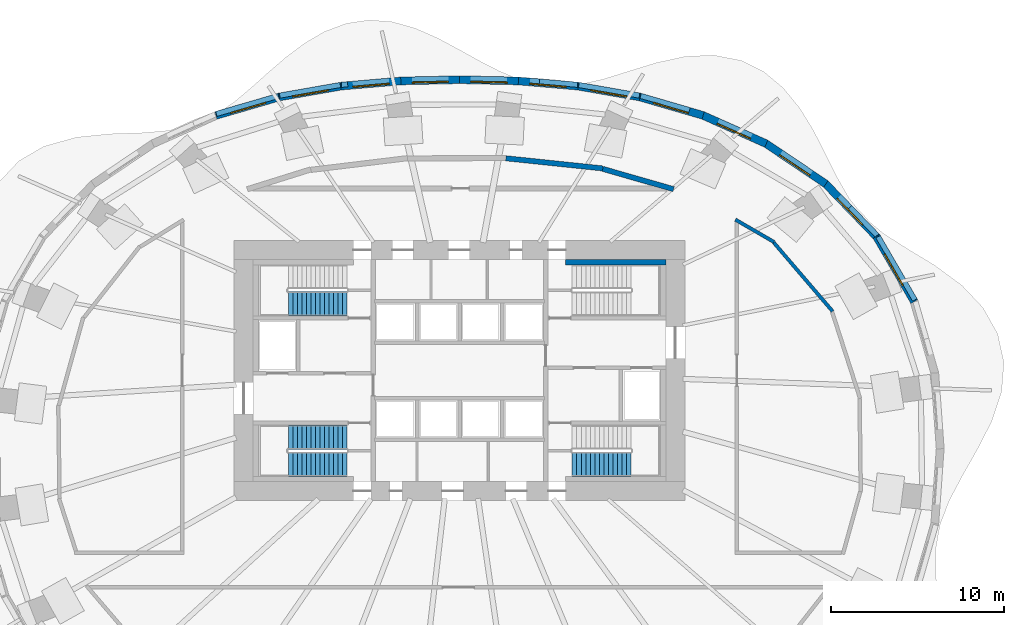
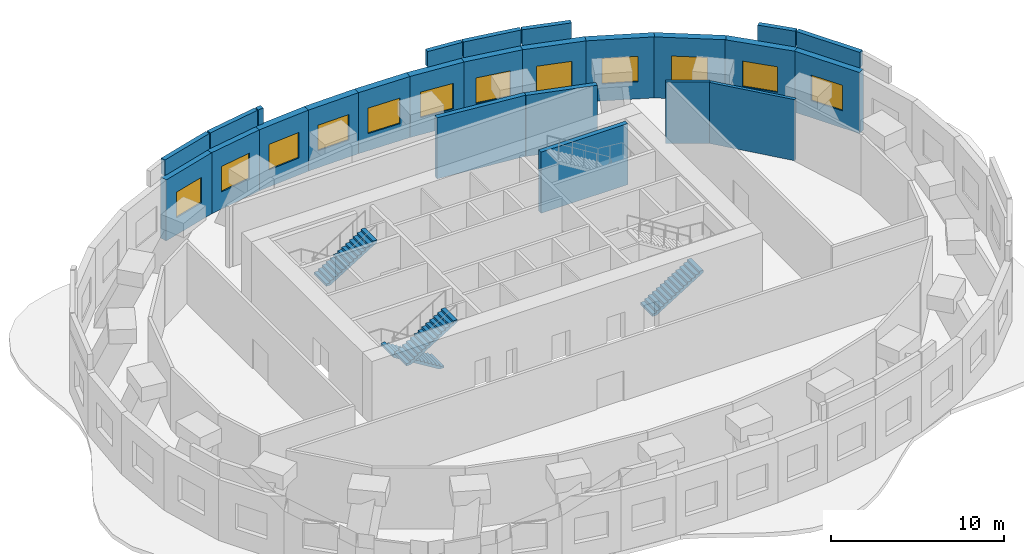
# One storey, part 7 of 9: 25 walls, 12 windows, 4 stair flights, 12 openings, 3 elements without a shape of their own.
"""IFC4 building model written with IfcOpenShell, lengths in metres."""

from ifc_helpers import new_model, si_unit, direction, frame, frame_2d, origin, place, context, subcontext, project, spatial, polyline, rectangle, outline, extrude, material, layer, layer_set, type_object, element, fill, aggregate, save


model = new_model("IFC4")

# Units and contexts
model_context = context("Model", 3, precision=1e-05, world=origin(), true_north=direction((0.0, 1.0)))
body_context = subcontext(model_context, "Body", "Model", "MODEL_VIEW")
ifc_project = project(units=[si_unit("LENGTHUNIT", "METRE"), si_unit("AREAUNIT", "SQUARE_METRE"), si_unit("VOLUMEUNIT", "CUBIC_METRE"), si_unit("PLANEANGLEUNIT", "RADIAN"), si_unit("MASSUNIT", "GRAM", prefix="KILO")], contexts=[model_context])

# Site, building, storey
site_placement = place(None, origin())
site = spatial("IfcSite", under=ifc_project, at=site_placement, CompositionType="ELEMENT")
building_placement = place(site_placement, origin())
building = spatial("IfcBuilding", under=site, at=building_placement, Name="Rubra Terraces Tower", CompositionType="ELEMENT")
storey_placement = place(building_placement, frame((0.0, 0.0, 77.10009765625)))
storey = spatial("IfcBuildingStorey", under=building, at=storey_placement, Name="L17", CompositionType="ELEMENT", Elevation=77.10009765625)

# Wall, opening, window
ifc_material_1 = material(Name="Brick masonry red-brown", Category="masonry")
ifc_layer_1 = layer(ifc_material_1, 0.449951171875)
ifc_layer_set_1 = layer_set([ifc_layer_1], Name="Brick masonry red-brown")
wall_type_1 = type_object("IfcWallType", Name="Brick facade wall 450", PredefinedType="SOLIDWALL", material=ifc_layer_set_1)
wall_1_placement = place(storey_placement, frame((26.23046875, 8.472900390625, 0.0), z_axis=(0.0, 0.0, 1.0), x_axis=(-0.502203169453, 0.864749661227, 0.0)))
wall_1 = element("IfcWall", 1, at=wall_1_placement, inside=storey, type_object=wall_type_1, Name="Facade wall L17 bay 3", PredefinedType="SOLIDWALL", context=body_context, shape_type="SweptSolid", body=[
    extrude(rectangle(XDim=4.352783203125, YDim=0.449951171875, at=frame_2d((2.17626953125, 0.0))), origin(), (0.0, 0.0, 1.0), 4.2998046875),
])
opening_1_placement = place(wall_1_placement, frame((1.12646484375, 0.0, 1.199951171875)))
opening_1 = element("IfcOpeningElement", 2, at=opening_1_placement, cuts=wall_1, Name="Opening W4", PredefinedType="OPENING", context=body_context, shape_type="SweptSolid", body=[
    extrude(rectangle(XDim=2.10009765625, YDim=1.800048828125, at=frame_2d((1.050048828125, 0.89990234375))), frame((0.0, 0.23486328125, 0.0), z_axis=(0.0, -1.0, 0.0), x_axis=(1.0, 0.0, 0.0)), (0.0, 0.0, 1.0), 0.469970703125),
])
ifc_material_2 = material(Name="Clear glass in aluminium frame", Category="aluminium")
window_type = type_object("IfcWindowType", Name="Louvred plant window 2100 x 1800", PartitioningType="SINGLE_PANEL", PredefinedType="WINDOW", material=ifc_material_2)
window_1_placement = place(opening_1_placement, origin())
window_1 = element("IfcWindow", 3, at=window_1_placement, inside=storey, type_object=window_type, Name="Window L17 bay 3", OverallHeight=1.800048828125, OverallWidth=2.10009765625, PartitioningType="SINGLE_PANEL", PredefinedType="WINDOW", context=body_context, shape_type="SweptSolid", body=[
    extrude(rectangle(XDim=2.10009765625, YDim=1.800048828125, at=frame_2d((1.050048828125, 0.89990234375))), frame((0.0, 0.135009765625, 0.0), z_axis=(0.0, -1.0, 0.0), x_axis=(1.0, 0.0, 0.0)), (0.0, 0.0, 1.0), 0.06005859375),
])
fill(opening_1, window_1)

wall_2_placement = place(storey_placement, frame((24.076904296875, 12.19384765625, 0.0), z_axis=(0.0, 0.0, 1.0), x_axis=(-0.69406513137, 0.719912212298, 0.0)))
wall_2 = element("IfcWall", 4, at=wall_2_placement, inside=storey, type_object=wall_type_1, Name="Facade wall L17 bay 4", PredefinedType="SOLIDWALL", context=body_context, shape_type="SweptSolid", body=[
    extrude(rectangle(XDim=4.2978515625, YDim=0.449951171875, at=frame_2d((2.14892578125, 0.0))), origin(), (0.0, 0.0, 1.0), 4.2998046875),
])
opening_2_placement = place(wall_2_placement, frame((1.098876953125, 0.0, 1.199951171875)))
opening_2 = element("IfcOpeningElement", 5, at=opening_2_placement, cuts=wall_2, Name="Opening W4", PredefinedType="OPENING", context=body_context, shape_type="SweptSolid", body=[
    extrude(rectangle(XDim=2.10009765625, YDim=1.800048828125, at=frame_2d((1.050048828125, 0.89990234375))), frame((0.0, 0.23486328125, 0.0), z_axis=(0.0, -1.0, 0.0), x_axis=(1.0, 0.0, 0.0)), (0.0, 0.0, 1.0), 0.469970703125),
])
window_2_placement = place(opening_2_placement, origin())
window_2 = element("IfcWindow", 6, at=window_2_placement, inside=storey, type_object=window_type, Name="Window L17 bay 4", OverallHeight=1.800048828125, OverallWidth=2.10009765625, PartitioningType="SINGLE_PANEL", PredefinedType="WINDOW", context=body_context, shape_type="SweptSolid", body=[
    extrude(rectangle(XDim=2.10009765625, YDim=1.800048828125, at=frame_2d((1.050048828125, 0.89990234375))), frame((0.0, 0.135009765625, 0.0), z_axis=(0.0, -1.0, 0.0), x_axis=(1.0, 0.0, 0.0)), (0.0, 0.0, 1.0), 0.06005859375),
])
fill(opening_2, window_2)

wall_3_placement = place(storey_placement, frame((21.130126953125, 15.257568359375, 0.0), z_axis=(0.0, 0.0, 1.0), x_axis=(-0.829077786947, 0.559133278557, 0.0)))
wall_3 = element("IfcWall", 7, at=wall_3_placement, inside=storey, type_object=wall_type_1, Name="Facade wall L17 bay 5", PredefinedType="SOLIDWALL", context=body_context, shape_type="SweptSolid", body=[
    extrude(rectangle(XDim=4.1865234375, YDim=0.449951171875, at=frame_2d((2.09326171875, 0.0))), origin(), (0.0, 0.0, 1.0), 4.2998046875),
])
opening_3_placement = place(wall_3_placement, frame((1.043212890625, 0.0, 1.199951171875)))
opening_3 = element("IfcOpeningElement", 8, at=opening_3_placement, cuts=wall_3, Name="Opening W4", PredefinedType="OPENING", context=body_context, shape_type="SweptSolid", body=[
    extrude(rectangle(XDim=2.10009765625, YDim=1.800048828125, at=frame_2d((1.050048828125, 0.89990234375))), frame((0.0, 0.23486328125, 0.0), z_axis=(0.0, -1.0, 0.0), x_axis=(1.0, 0.0, 0.0)), (0.0, 0.0, 1.0), 0.469970703125),
])
window_3_placement = place(opening_3_placement, origin())
window_3 = element("IfcWindow", 9, at=window_3_placement, inside=storey, type_object=window_type, Name="Window L17 bay 5", OverallHeight=1.800048828125, OverallWidth=2.10009765625, PartitioningType="SINGLE_PANEL", PredefinedType="WINDOW", context=body_context, shape_type="SweptSolid", body=[
    extrude(rectangle(XDim=2.10009765625, YDim=1.800048828125, at=frame_2d((1.050048828125, 0.89990234375))), frame((0.0, 0.135009765625, 0.0), z_axis=(0.0, -1.0, 0.0), x_axis=(1.0, 0.0, 0.0)), (0.0, 0.0, 1.0), 0.06005859375),
])
fill(opening_3, window_3)

wall_4_placement = place(storey_placement, frame((17.693115234375, 17.57958984375, 0.0), z_axis=(0.0, 0.0, 1.0), x_axis=(-0.912580432801, 0.408897240966, 0.0)))
wall_4 = element("IfcWall", 10, at=wall_4_placement, inside=storey, type_object=wall_type_1, Name="Facade wall L17 bay 6", PredefinedType="SOLIDWALL", context=body_context, shape_type="SweptSolid", body=[
    extrude(rectangle(XDim=4.020751953125, YDim=0.449951171875, at=frame_2d((2.01025390625, 0.0))), origin(), (0.0, 0.0, 1.0), 4.2998046875),
])
opening_4_placement = place(wall_4_placement, frame((0.960205078125, 0.0, 1.199951171875)))
opening_4 = element("IfcOpeningElement", 11, at=opening_4_placement, cuts=wall_4, Name="Opening W4", PredefinedType="OPENING", context=body_context, shape_type="SweptSolid", body=[
    extrude(rectangle(XDim=2.10009765625, YDim=1.800048828125, at=frame_2d((1.050048828125, 0.89990234375))), frame((0.0, 0.23486328125, 0.0), z_axis=(0.0, -1.0, 0.0), x_axis=(1.0, 0.0, 0.0)), (0.0, 0.0, 1.0), 0.469970703125),
])
window_4_placement = place(opening_4_placement, origin())
window_4 = element("IfcWindow", 12, at=window_4_placement, inside=storey, type_object=window_type, Name="Window L17 bay 6", OverallHeight=1.800048828125, OverallWidth=2.10009765625, PartitioningType="SINGLE_PANEL", PredefinedType="WINDOW", context=body_context, shape_type="SweptSolid", body=[
    extrude(rectangle(XDim=2.10009765625, YDim=1.800048828125, at=frame_2d((1.050048828125, 0.89990234375))), frame((0.0, 0.135009765625, 0.0), z_axis=(0.0, -1.0, 0.0), x_axis=(1.0, 0.0, 0.0)), (0.0, 0.0, 1.0), 0.06005859375),
])
fill(opening_4, window_4)

wall_5_placement = place(storey_placement, frame((14.052978515625, 19.212890625, 0.0), z_axis=(0.0, 0.0, 1.0), x_axis=(-0.960131452472, 0.279548911594, 0.0)))
wall_5 = element("IfcWall", 13, at=wall_5_placement, inside=storey, type_object=wall_type_1, Name="Facade wall L17 bay 7", PredefinedType="SOLIDWALL", context=body_context, shape_type="SweptSolid", body=[
    extrude(rectangle(XDim=3.824462890625, YDim=0.449951171875, at=frame_2d((1.912109375, 0.0))), origin(), (0.0, 0.0, 1.0), 4.2998046875),
])
opening_5_placement = place(wall_5_placement, frame((0.8623046875, 0.0, 1.199951171875)))
opening_5 = element("IfcOpeningElement", 14, at=opening_5_placement, cuts=wall_5, Name="Opening W4", PredefinedType="OPENING", context=body_context, shape_type="SweptSolid", body=[
    extrude(rectangle(XDim=2.10009765625, YDim=1.800048828125, at=frame_2d((1.050048828125, 0.89990234375))), frame((0.0, 0.23486328125, 0.0), z_axis=(0.0, -1.0, 0.0), x_axis=(1.0, 0.0, 0.0)), (0.0, 0.0, 1.0), 0.469970703125),
])
window_5_placement = place(opening_5_placement, origin())
window_5 = element("IfcWindow", 15, at=window_5_placement, inside=storey, type_object=window_type, Name="Window L17 bay 7", OverallHeight=1.800048828125, OverallWidth=2.10009765625, PartitioningType="SINGLE_PANEL", PredefinedType="WINDOW", context=body_context, shape_type="SweptSolid", body=[
    extrude(rectangle(XDim=2.10009765625, YDim=1.800048828125, at=frame_2d((1.050048828125, 0.89990234375))), frame((0.0, 0.135009765625, 0.0), z_axis=(0.0, -1.0, 0.0), x_axis=(1.0, 0.0, 0.0)), (0.0, 0.0, 1.0), 0.06005859375),
])
fill(opening_5, window_5)

wall_6_placement = place(storey_placement, frame((10.405029296875, 20.2763671875, 0.0), z_axis=(0.0, 0.0, 1.0), x_axis=(-0.984962239205, 0.172769752386, 0.0)))
wall_6 = element("IfcWall", 16, at=wall_6_placement, inside=storey, type_object=wall_type_1, Name="Facade wall L17 bay 8", PredefinedType="SOLIDWALL", context=body_context, shape_type="SweptSolid", body=[
    extrude(rectangle(XDim=3.634521484375, YDim=0.449951171875, at=frame_2d((1.8173828125, 0.0))), origin(), (0.0, 0.0, 1.0), 4.2998046875),
])
opening_6_placement = place(wall_6_placement, frame((0.767333984375, 0.0, 1.199951171875)))
opening_6 = element("IfcOpeningElement", 17, at=opening_6_placement, cuts=wall_6, Name="Opening W4", PredefinedType="OPENING", context=body_context, shape_type="SweptSolid", body=[
    extrude(rectangle(XDim=2.10009765625, YDim=1.800048828125, at=frame_2d((1.050048828125, 0.89990234375))), frame((0.0, 0.23486328125, 0.0), z_axis=(0.0, -1.0, 0.0), x_axis=(1.0, 0.0, 0.0)), (0.0, 0.0, 1.0), 0.469970703125),
])
window_6_placement = place(opening_6_placement, origin())
window_6 = element("IfcWindow", 18, at=window_6_placement, inside=storey, type_object=window_type, Name="Window L17 bay 8", OverallHeight=1.800048828125, OverallWidth=2.10009765625, PartitioningType="SINGLE_PANEL", PredefinedType="WINDOW", context=body_context, shape_type="SweptSolid", body=[
    extrude(rectangle(XDim=2.10009765625, YDim=1.800048828125, at=frame_2d((1.050048828125, 0.89990234375))), frame((0.0, 0.135009765625, 0.0), z_axis=(0.0, -1.0, 0.0), x_axis=(1.0, 0.0, 0.0)), (0.0, 0.0, 1.0), 0.06005859375),
])
fill(opening_6, window_6)

wall_7_placement = place(storey_placement, frame((6.844482421875, 20.90185546875, 0.0), z_axis=(0.0, 0.0, 1.0), x_axis=(-0.99625818993, 0.086426957587, 0.0)))
wall_7 = element("IfcWall", 19, at=wall_7_placement, inside=storey, type_object=wall_type_1, Name="Facade wall L17 bay 9", PredefinedType="SOLIDWALL", context=body_context, shape_type="SweptSolid", body=[
    extrude(rectangle(XDim=3.48291015625, YDim=0.449951171875, at=frame_2d((1.741455078125, 0.0))), origin(), (0.0, 0.0, 1.0), 4.2998046875),
])
opening_7_placement = place(wall_7_placement, frame((0.69140625, 0.0, 1.199951171875)))
opening_7 = element("IfcOpeningElement", 20, at=opening_7_placement, cuts=wall_7, Name="Opening W4", PredefinedType="OPENING", context=body_context, shape_type="SweptSolid", body=[
    extrude(rectangle(XDim=2.10009765625, YDim=1.800048828125, at=frame_2d((1.050048828125, 0.89990234375))), frame((0.0, 0.23486328125, 0.0), z_axis=(0.0, -1.0, 0.0), x_axis=(1.0, 0.0, 0.0)), (0.0, 0.0, 1.0), 0.469970703125),
])
window_7_placement = place(opening_7_placement, origin())
window_7 = element("IfcWindow", 21, at=window_7_placement, inside=storey, type_object=window_type, Name="Window L17 bay 9", OverallHeight=1.800048828125, OverallWidth=2.10009765625, PartitioningType="SINGLE_PANEL", PredefinedType="WINDOW", context=body_context, shape_type="SweptSolid", body=[
    extrude(rectangle(XDim=2.10009765625, YDim=1.800048828125, at=frame_2d((1.050048828125, 0.89990234375))), frame((0.0, 0.135009765625, 0.0), z_axis=(0.0, -1.0, 0.0), x_axis=(1.0, 0.0, 0.0)), (0.0, 0.0, 1.0), 0.06005859375),
])
fill(opening_7, window_7)

wall_8_placement = place(storey_placement, frame((3.38916015625, 21.201904296875, 0.0), z_axis=(0.0, 0.0, 1.0), x_axis=(-0.999768789703, 0.021502723933, 0.0)))
wall_8 = element("IfcWall", 22, at=wall_8_placement, inside=storey, type_object=wall_type_1, Name="Facade wall L17 bay 10", PredefinedType="SOLIDWALL", context=body_context, shape_type="SweptSolid", body=[
    extrude(rectangle(XDim=3.394775390625, YDim=0.449951171875, at=frame_2d((1.697265625, 0.0))), origin(), (0.0, 0.0, 1.0), 4.2998046875),
])
opening_8_placement = place(wall_8_placement, frame((0.6474609375, 0.0, 1.199951171875)))
opening_8 = element("IfcOpeningElement", 23, at=opening_8_placement, cuts=wall_8, Name="Opening W4", PredefinedType="OPENING", context=body_context, shape_type="SweptSolid", body=[
    extrude(rectangle(XDim=2.10009765625, YDim=1.800048828125, at=frame_2d((1.050048828125, 0.89990234375))), frame((0.0, 0.23486328125, 0.0), z_axis=(0.0, -1.0, 0.0), x_axis=(1.0, 0.0, 0.0)), (0.0, 0.0, 1.0), 0.469970703125),
])
window_8_placement = place(opening_8_placement, origin())
window_8 = element("IfcWindow", 24, at=window_8_placement, inside=storey, type_object=window_type, Name="Window L17 bay 10", OverallHeight=1.800048828125, OverallWidth=2.10009765625, PartitioningType="SINGLE_PANEL", PredefinedType="WINDOW", context=body_context, shape_type="SweptSolid", body=[
    extrude(rectangle(XDim=2.10009765625, YDim=1.800048828125, at=frame_2d((1.050048828125, 0.89990234375))), frame((0.0, 0.135009765625, 0.0), z_axis=(0.0, -1.0, 0.0), x_axis=(1.0, 0.0, 0.0)), (0.0, 0.0, 1.0), 0.06005859375),
])
fill(opening_8, window_8)

wall_9_placement = place(storey_placement, frame((0.0048828125, 21.27490234375, 0.0), z_axis=(0.0, 0.0, 1.0), x_axis=(-0.999768789703, -0.021502723933, 0.0)))
wall_9 = element("IfcWall", 25, at=wall_9_placement, inside=storey, type_object=wall_type_1, Name="Facade wall L17 bay 11", PredefinedType="SOLIDWALL", context=body_context, shape_type="SweptSolid", body=[
    extrude(rectangle(XDim=3.394775390625, YDim=0.449951171875, at=frame_2d((1.697265625, 0.0))), origin(), (0.0, 0.0, 1.0), 4.2998046875),
])
opening_9_placement = place(wall_9_placement, frame((0.6474609375, 0.0, 1.199951171875)))
opening_9 = element("IfcOpeningElement", 26, at=opening_9_placement, cuts=wall_9, Name="Opening W4", PredefinedType="OPENING", context=body_context, shape_type="SweptSolid", body=[
    extrude(rectangle(XDim=2.10009765625, YDim=1.800048828125, at=frame_2d((1.050048828125, 0.89990234375))), frame((0.0, 0.23486328125, 0.0), z_axis=(0.0, -1.0, 0.0), x_axis=(1.0, 0.0, 0.0)), (0.0, 0.0, 1.0), 0.469970703125),
])
window_9_placement = place(opening_9_placement, origin())
window_9 = element("IfcWindow", 27, at=window_9_placement, inside=storey, type_object=window_type, Name="Window L17 bay 11", OverallHeight=1.800048828125, OverallWidth=2.10009765625, PartitioningType="SINGLE_PANEL", PredefinedType="WINDOW", context=body_context, shape_type="SweptSolid", body=[
    extrude(rectangle(XDim=2.10009765625, YDim=1.800048828125, at=frame_2d((1.050048828125, 0.89990234375))), frame((0.0, 0.135009765625, 0.0), z_axis=(0.0, -1.0, 0.0), x_axis=(1.0, 0.0, 0.0)), (0.0, 0.0, 1.0), 0.06005859375),
])
fill(opening_9, window_9)

wall_10_placement = place(storey_placement, frame((-3.37451171875, 21.202880859375, 0.0), z_axis=(0.0, 0.0, 1.0), x_axis=(-0.99625818993, -0.086426957587, 0.0)))
wall_10 = element("IfcWall", 28, at=wall_10_placement, inside=storey, type_object=wall_type_1, Name="Facade wall L17 bay 12", PredefinedType="SOLIDWALL", context=body_context, shape_type="SweptSolid", body=[
    extrude(rectangle(XDim=3.48291015625, YDim=0.449951171875, at=frame_2d((1.741455078125, 0.0))), origin(), (0.0, 0.0, 1.0), 4.2998046875),
])
opening_10_placement = place(wall_10_placement, frame((0.69140625, 0.0, 1.199951171875)))
opening_10 = element("IfcOpeningElement", 29, at=opening_10_placement, cuts=wall_10, Name="Opening W4", PredefinedType="OPENING", context=body_context, shape_type="SweptSolid", body=[
    extrude(rectangle(XDim=2.10009765625, YDim=1.800048828125, at=frame_2d((1.050048828125, 0.89990234375))), frame((0.0, 0.23486328125, 0.0), z_axis=(0.0, -1.0, 0.0), x_axis=(1.0, 0.0, 0.0)), (0.0, 0.0, 1.0), 0.469970703125),
])
window_10_placement = place(opening_10_placement, origin())
window_10 = element("IfcWindow", 30, at=window_10_placement, inside=storey, type_object=window_type, Name="Window L17 bay 12", OverallHeight=1.800048828125, OverallWidth=2.10009765625, PartitioningType="SINGLE_PANEL", PredefinedType="WINDOW", context=body_context, shape_type="SweptSolid", body=[
    extrude(rectangle(XDim=2.10009765625, YDim=1.800048828125, at=frame_2d((1.050048828125, 0.89990234375))), frame((0.0, 0.135009765625, 0.0), z_axis=(0.0, -1.0, 0.0), x_axis=(1.0, 0.0, 0.0)), (0.0, 0.0, 1.0), 0.06005859375),
])
fill(opening_10, window_10)

wall_11_placement = place(storey_placement, frame((-6.8251953125, 20.904296875, 0.0), z_axis=(0.0, 0.0, 1.0), x_axis=(-0.984962239205, -0.172769752386, 0.0)))
wall_11 = element("IfcWall", 31, at=wall_11_placement, inside=storey, type_object=wall_type_1, Name="Facade wall L17 bay 13", PredefinedType="SOLIDWALL", context=body_context, shape_type="SweptSolid", body=[
    extrude(rectangle(XDim=3.634521484375, YDim=0.449951171875, at=frame_2d((1.8173828125, 0.0))), origin(), (0.0, 0.0, 1.0), 4.2998046875),
])
opening_11_placement = place(wall_11_placement, frame((0.767333984375, 0.0, 1.199951171875)))
opening_11 = element("IfcOpeningElement", 32, at=opening_11_placement, cuts=wall_11, Name="Opening W4", PredefinedType="OPENING", context=body_context, shape_type="SweptSolid", body=[
    extrude(rectangle(XDim=2.10009765625, YDim=1.800048828125, at=frame_2d((1.050048828125, 0.89990234375))), frame((0.0, 0.23486328125, 0.0), z_axis=(0.0, -1.0, 0.0), x_axis=(1.0, 0.0, 0.0)), (0.0, 0.0, 1.0), 0.469970703125),
])
window_11_placement = place(opening_11_placement, origin())
window_11 = element("IfcWindow", 33, at=window_11_placement, inside=storey, type_object=window_type, Name="Window L17 bay 13", OverallHeight=1.800048828125, OverallWidth=2.10009765625, PartitioningType="SINGLE_PANEL", PredefinedType="WINDOW", context=body_context, shape_type="SweptSolid", body=[
    extrude(rectangle(XDim=2.10009765625, YDim=1.800048828125, at=frame_2d((1.050048828125, 0.89990234375))), frame((0.0, 0.135009765625, 0.0), z_axis=(0.0, -1.0, 0.0), x_axis=(1.0, 0.0, 0.0)), (0.0, 0.0, 1.0), 0.06005859375),
])
fill(opening_11, window_11)

wall_12_placement = place(storey_placement, frame((-10.381103515625, 20.281982421875, 0.0), z_axis=(0.0, 0.0, 1.0), x_axis=(-0.960131452472, -0.279548911594, 0.0)))
wall_12 = element("IfcWall", 34, at=wall_12_placement, inside=storey, type_object=wall_type_1, Name="Facade wall L17 bay 14", PredefinedType="SOLIDWALL", context=body_context, shape_type="SweptSolid", body=[
    extrude(rectangle(XDim=3.824462890625, YDim=0.449951171875, at=frame_2d((1.912109375, 0.0))), origin(), (0.0, 0.0, 1.0), 4.2998046875),
])
opening_12_placement = place(wall_12_placement, frame((0.8623046875, 0.0, 1.199951171875)))
opening_12 = element("IfcOpeningElement", 35, at=opening_12_placement, cuts=wall_12, Name="Opening W4", PredefinedType="OPENING", context=body_context, shape_type="SweptSolid", body=[
    extrude(rectangle(XDim=2.10009765625, YDim=1.800048828125, at=frame_2d((1.050048828125, 0.89990234375))), frame((0.0, 0.23486328125, 0.0), z_axis=(0.0, -1.0, 0.0), x_axis=(1.0, 0.0, 0.0)), (0.0, 0.0, 1.0), 0.469970703125),
])
window_12_placement = place(opening_12_placement, origin())
window_12 = element("IfcWindow", 36, at=window_12_placement, inside=storey, type_object=window_type, Name="Window L17 bay 14", OverallHeight=1.800048828125, OverallWidth=2.10009765625, PartitioningType="SINGLE_PANEL", PredefinedType="WINDOW", context=body_context, shape_type="SweptSolid", body=[
    extrude(rectangle(XDim=2.10009765625, YDim=1.800048828125, at=frame_2d((1.050048828125, 0.89990234375))), frame((0.0, 0.135009765625, 0.0), z_axis=(0.0, -1.0, 0.0), x_axis=(1.0, 0.0, 0.0)), (0.0, 0.0, 1.0), 0.06005859375),
])
fill(opening_12, window_12)

# Walls
ifc_layer_2 = layer(ifc_material_1, 0.300048828125)
ifc_layer_set_2 = layer_set([ifc_layer_2], Name="Brick masonry red-brown")
wall_type_2 = type_object("IfcWallType", Name="Brick parapet 300", PredefinedType="PARAPET", material=ifc_layer_set_2)
wall_13_placement = place(storey_placement, frame((26.26171875, 8.56884765625, 4.5), z_axis=(0.0, 0.0, 1.0), x_axis=(-0.502258354831, 0.864717609976, 0.0)))
element("IfcWall", 37, at=wall_13_placement, inside=storey, type_object=wall_type_2, Name="Parapet L17 bay 3", PredefinedType="PARAPET", context=body_context, shape_type="SweptSolid", body=[
    extrude(rectangle(XDim=4.21923828125, YDim=0.300048828125, at=frame_2d((2.109619140625, 0.0))), origin(), (0.0, 0.0, 1.0), 1.099853515625),
])
wall_14_placement = place(storey_placement, frame((24.0849609375, 12.293701171875, 4.5), z_axis=(0.0, 0.0, 1.0), x_axis=(-0.69408561192, 0.719892466501, 0.0)))
element("IfcWall", 38, at=wall_14_placement, inside=storey, type_object=wall_type_2, Name="Parapet L17 bay 4", PredefinedType="PARAPET", context=body_context, shape_type="SweptSolid", body=[
    extrude(rectangle(XDim=2.260986328125, YDim=0.300048828125, at=frame_2d((1.13037109375, 0.0))), origin(), (0.0, 0.0, 1.0), 1.099853515625),
])
wall_15_placement = place(storey_placement, frame((13.266357421875, 19.520263671875, 4.5), z_axis=(0.0, 0.0, 1.0), x_axis=(-0.960144197549, 0.279505133965, 0.0)))
element("IfcWall", 39, at=wall_15_placement, inside=storey, type_object=wall_type_2, Name="Parapet L17 bay 7", PredefinedType="PARAPET", context=body_context, shape_type="SweptSolid", body=[
    extrude(rectangle(XDim=2.9365234375, YDim=0.300048828125, at=frame_2d((1.46826171875, 0.0))), origin(), (0.0, 0.0, 1.0), 1.099853515625),
])
wall_16_placement = place(storey_placement, frame((10.372314453125, 20.3583984375, 4.5), z_axis=(0.0, 0.0, 1.0), x_axis=(-0.984970182858, 0.172724459419, 0.0)))
element("IfcWall", 40, at=wall_16_placement, inside=storey, type_object=wall_type_2, Name="Parapet L17 bay 8", PredefinedType="PARAPET", context=body_context, shape_type="SweptSolid", body=[
    extrude(rectangle(XDim=3.544921875, YDim=0.300048828125, at=frame_2d((1.7724609375, 0.0))), origin(), (0.0, 0.0, 1.0), 1.099853515625),
])
wall_17_placement = place(storey_placement, frame((6.80810546875, 20.980224609375, 4.5), z_axis=(0.0, 0.0, 1.0), x_axis=(-0.99625342501, 0.086481866051, 0.0)))
element("IfcWall", 41, at=wall_17_placement, inside=storey, type_object=wall_type_2, Name="Parapet L17 bay 9", PredefinedType="PARAPET", context=body_context, shape_type="SweptSolid", body=[
    extrude(rectangle(XDim=2.21044921875, YDim=0.300048828125, at=frame_2d((1.105224609375, 0.0))), origin(), (0.0, 0.0, 1.0), 1.099853515625),
])
wall_18_placement = place(storey_placement, frame((-6.453125, 21.010986328125, 4.5), z_axis=(0.0, 0.0, 1.0), x_axis=(-0.996266255014, -0.086333939568, 0.0)))
element("IfcWall", 42, at=wall_18_placement, inside=storey, type_object=wall_type_2, Name="Parapet L17 bay 12", PredefinedType="PARAPET", context=body_context, shape_type="SweptSolid", body=[
    extrude(rectangle(XDim=0.356201171875, YDim=0.300048828125, at=frame_2d((0.17822265625, 0.0))), origin(), (0.0, 0.0, 1.0), 1.099853515625),
])
wall_19_placement = place(storey_placement, frame((-6.880615234375, 20.970703125, 4.5), z_axis=(0.0, 0.0, 1.0), x_axis=(-0.984970182858, -0.172724459419, 0.0)))
element("IfcWall", 43, at=wall_19_placement, inside=storey, type_object=wall_type_2, Name="Parapet L17 bay 13", PredefinedType="PARAPET", context=body_context, shape_type="SweptSolid", body=[
    extrude(rectangle(XDim=3.544921875, YDim=0.300048828125, at=frame_2d((1.7724609375, 0.0))), origin(), (0.0, 0.0, 1.0), 1.099853515625),
])
wall_20_placement = place(storey_placement, frame((-10.44677734375, 20.341064453125, 4.5), z_axis=(0.0, 0.0, 1.0), x_axis=(-0.960145130593, -0.279501928792, 0.0)))
element("IfcWall", 44, at=wall_20_placement, inside=storey, type_object=wall_type_2, Name="Parapet L17 bay 14", PredefinedType="PARAPET", context=body_context, shape_type="SweptSolid", body=[
    extrude(rectangle(XDim=3.72705078125, YDim=0.300048828125, at=frame_2d((1.863525390625, 0.0))), origin(), (0.0, 0.0, 1.0), 1.099853515625),
])
ifc_material_3 = material(Name="Concrete C40", Category="concrete")
ifc_layer_3 = layer(ifc_material_3, 0.300048828125)
ifc_layer_set_3 = layer_set([ifc_layer_3], Name="Concrete C40")
wall_type_3 = type_object("IfcWallType", Name="Core lining wall 300 concrete", PredefinedType="SOLIDWALL", material=ifc_layer_set_3)
wall_21_placement = place(storey_placement, frame((11.89990234375, 10.75, 0.0), z_axis=(0.0, 0.0, 1.0), x_axis=(-1.0, 0.0, 0.0)))
element("IfcWall", 45, at=wall_21_placement, inside=storey, type_object=wall_type_3, Name="CORE LINING WALL L17", PredefinedType="SOLIDWALL", context=body_context, shape_type="SweptSolid", body=[
    extrude(rectangle(XDim=5.77978515625, YDim=0.300048828125, at=frame_2d((2.889892578125, 0.0))), origin(), (0.0, 0.0, 1.0), 4.2998046875),
])
ifc_material_4 = material(Name="Blockwork", Category="masonry")
ifc_layer_4 = layer(ifc_material_4, 0.199951171875)
ifc_layer_set_4 = layer_set([ifc_layer_4], Name="Blockwork")
wall_type_4 = type_object("IfcWallType", Name="Corridor partition 200 blockwork", PredefinedType="PARTITIONING", material=ifc_layer_set_4)
wall_22_placement = place(storey_placement, frame((15.9130859375, 13.201904296875, 0.0), z_axis=(0.0, 0.0, 1.0), x_axis=(0.86524014554, -0.501357647339, 0.0)))
element("IfcWall", 46, at=wall_22_placement, inside=storey, type_object=wall_type_4, Name="Partition wall", PredefinedType="PARTITIONING", context=body_context, shape_type="SweptSolid", body=[
    extrude(rectangle(XDim=2.574951171875, YDim=0.199951171875, at=frame_2d((1.28759765625, 0.0))), origin(), (0.0, 0.0, 1.0), 4.2998046875),
])
wall_23_placement = place(storey_placement, frame((18.118896484375, 11.885009765625, 0.0), z_axis=(0.0, 0.0, 1.0), x_axis=(0.650510608515, -0.759497168006, 0.0)))
element("IfcWall", 47, at=wall_23_placement, inside=storey, type_object=wall_type_4, Name="Partition wall", PredefinedType="PARTITIONING", context=body_context, shape_type="SweptSolid", body=[
    extrude(rectangle(XDim=5.228271484375, YDim=0.199951171875, at=frame_2d((2.6142578125, 0.0))), origin(), (0.0, 0.0, 1.0), 4.2998046875),
])
ifc_layer_5 = layer(ifc_material_4, 0.300048828125)
ifc_layer_set_5 = layer_set([ifc_layer_5], Name="Blockwork")
wall_type_5 = type_object("IfcWallType", Name="Plant wall 300 blockwork", PredefinedType="SOLIDWALL", material=ifc_layer_set_5)
wall_24_placement = place(storey_placement, frame((2.6708984375, 16.741943359375, 0.0), z_axis=(0.0, 0.0, 1.0), x_axis=(0.99455907377, -0.104174127222, 0.0)))
element("IfcWall", 48, at=wall_24_placement, inside=storey, type_object=wall_type_5, Name="Plant room wall", PredefinedType="SOLIDWALL", context=body_context, shape_type="SweptSolid", body=[
    extrude(rectangle(XDim=5.62451171875, YDim=0.300048828125, at=frame_2d((2.812255859375, 0.0))), origin(), (0.0, 0.0, 1.0), 4.2998046875),
])
wall_25_placement = place(storey_placement, frame((8.260009765625, 16.131103515625, 0.0), z_axis=(0.0, 0.0, 1.0), x_axis=(0.961195849484, -0.275866886261, 0.0)))
element("IfcWall", 49, at=wall_25_placement, inside=storey, type_object=wall_type_5, Name="Plant room wall", PredefinedType="SOLIDWALL", context=body_context, shape_type="SweptSolid", body=[
    extrude(rectangle(XDim=4.248779296875, YDim=0.300048828125, at=frame_2d((2.12451171875, 0.0))), origin(), (0.0, 0.0, 1.0), 4.2998046875),
])

# Stair, stair flights
stair_type = type_object("IfcStairType", Name="Core stair 1400", PredefinedType="HALF_TURN_STAIR", material=ifc_material_3)
stair_1_placement = place(storey_placement, origin())
stair_1 = element("IfcStair", 50, at=stair_1_placement, inside=storey, type_object=stair_type, Name="L17 Exit stair S1", PredefinedType="HALF_TURN_STAIR")
stair_flight_type = type_object("IfcStairFlightType", Name="Core stair flight 1400", PredefinedType="STRAIGHT", material=ifc_material_3)
stair_flight_1_placement = place(storey_placement, frame((-6.5, 0.64990234375, 0.0), z_axis=(0.0, 0.0, 1.0), x_axis=(-1.0, 0.0, 0.0)))
stair_flight_1 = element("IfcStairFlight", 51, at=stair_flight_1_placement, type_object=stair_flight_type, Name="S1 flight 1", NumberOfRisers=14, NumberOfTreads=13, PredefinedType="STRAIGHT", RiserHeight=0.160714286, TreadLength=0.26, context=body_context, shape_type="SweptSolid", body=[
    extrude(outline(polyline([(0.0, 0.0), (0.0, 0.16064453125), (0.260009765625, 0.16064453125), (0.260009765625, 0.321533203125), (0.52001953125, 0.321533203125), (0.52001953125, 0.482177734375), (0.780029296875, 0.482177734375), (0.780029296875, 0.642822265625), (1.0400390625, 0.642822265625), (1.0400390625, 0.803466796875), (1.300048828125, 0.803466796875), (1.300048828125, 0.96435546875), (1.56005859375, 0.96435546875), (1.56005859375, 1.125), (1.820068359375, 1.125), (1.820068359375, 1.28564453125), (2.080078125, 1.28564453125), (2.080078125, 1.446533203125), (2.340087890625, 1.446533203125), (2.340087890625, 1.607177734375), (2.60009765625, 1.607177734375), (2.60009765625, 1.767822265625), (2.860107421875, 1.767822265625), (2.860107421875, 1.928466796875), (3.1201171875, 1.928466796875), (3.1201171875, 2.08935546875), (3.3798828125, 2.08935546875), (3.3798828125, 2.25), (3.3798828125, 1.9130859375), (0.28515625, 0.0), (0.0, 0.0)])), frame((0.0, 0.699951171875, 0.0), z_axis=(0.0, -1.0, 0.0), x_axis=(1.0, 0.0, 0.0)), (0.0, 0.0, 1.0), 1.39990234375),
])
stair_flight_2_placement = place(storey_placement, frame((-9.8798828125, -0.89990234375, 2.25), z_axis=(0.0, 0.0, 1.0), x_axis=(1.0, 0.0, 0.0)))
stair_flight_2 = element("IfcStairFlight", 52, at=stair_flight_2_placement, type_object=stair_flight_type, Name="S1 flight 2", NumberOfRisers=14, NumberOfTreads=13, PredefinedType="STRAIGHT", RiserHeight=0.160714286, TreadLength=0.26, context=body_context, shape_type="SweptSolid", body=[
    extrude(outline(polyline([(0.0, 0.0), (0.0, 0.16064453125), (0.260009765625, 0.16064453125), (0.260009765625, 0.321533203125), (0.52001953125, 0.321533203125), (0.52001953125, 0.482177734375), (0.780029296875, 0.482177734375), (0.780029296875, 0.642822265625), (1.0400390625, 0.642822265625), (1.0400390625, 0.803466796875), (1.300048828125, 0.803466796875), (1.300048828125, 0.96435546875), (1.56005859375, 0.96435546875), (1.56005859375, 1.125), (1.820068359375, 1.125), (1.820068359375, 1.28564453125), (2.080078125, 1.28564453125), (2.080078125, 1.446533203125), (2.340087890625, 1.446533203125), (2.340087890625, 1.607177734375), (2.60009765625, 1.607177734375), (2.60009765625, 1.767822265625), (2.860107421875, 1.767822265625), (2.860107421875, 1.928466796875), (3.1201171875, 1.928466796875), (3.1201171875, 2.08935546875), (3.3798828125, 2.08935546875), (3.3798828125, 2.25), (3.3798828125, 1.9130859375), (0.28515625, 0.0), (0.0, 0.0)])), frame((0.0, 0.699951171875, 0.0), z_axis=(0.0, -1.0, 0.0), x_axis=(1.0, 0.0, 0.0)), (0.0, 0.0, 1.0), 1.39990234375),
])
aggregate(stair_1, [stair_flight_1, stair_flight_2])

# Stair, stair flight
stair_2_placement = place(storey_placement, origin())
stair_2 = element("IfcStair", 53, at=stair_2_placement, inside=storey, type_object=stair_type, Name="L17 Exit stair S2", PredefinedType="HALF_TURN_STAIR")
stair_flight_3_placement = place(storey_placement, frame((-9.8798828125, 8.35009765625, 2.25), z_axis=(0.0, 0.0, 1.0), x_axis=(1.0, 0.0, 0.0)))
stair_flight_3 = element("IfcStairFlight", 54, at=stair_flight_3_placement, type_object=stair_flight_type, Name="S2 flight 2", NumberOfRisers=14, NumberOfTreads=13, PredefinedType="STRAIGHT", RiserHeight=0.160714286, TreadLength=0.26, context=body_context, shape_type="SweptSolid", body=[
    extrude(outline(polyline([(0.0, 0.0), (0.0, 0.16064453125), (0.260009765625, 0.16064453125), (0.260009765625, 0.321533203125), (0.52001953125, 0.321533203125), (0.52001953125, 0.482177734375), (0.780029296875, 0.482177734375), (0.780029296875, 0.642822265625), (1.0400390625, 0.642822265625), (1.0400390625, 0.803466796875), (1.300048828125, 0.803466796875), (1.300048828125, 0.96435546875), (1.56005859375, 0.96435546875), (1.56005859375, 1.125), (1.820068359375, 1.125), (1.820068359375, 1.28564453125), (2.080078125, 1.28564453125), (2.080078125, 1.446533203125), (2.340087890625, 1.446533203125), (2.340087890625, 1.607177734375), (2.60009765625, 1.607177734375), (2.60009765625, 1.767822265625), (2.860107421875, 1.767822265625), (2.860107421875, 1.928466796875), (3.1201171875, 1.928466796875), (3.1201171875, 2.08935546875), (3.3798828125, 2.08935546875), (3.3798828125, 2.25), (3.3798828125, 1.9130859375), (0.28515625, 0.0), (0.0, 0.0)])), frame((0.0, 0.699951171875, 0.0), z_axis=(0.0, -1.0, 0.0), x_axis=(1.0, 0.0, 0.0)), (0.0, 0.0, 1.0), 1.39990234375),
])
aggregate(stair_2, [stair_flight_3])

stair_3_placement = place(storey_placement, origin())
stair_3 = element("IfcStair", 55, at=stair_3_placement, inside=storey, type_object=stair_type, Name="L17 Exit stair S4", PredefinedType="HALF_TURN_STAIR")
stair_flight_4_placement = place(storey_placement, frame((6.5, -0.89990234375, 0.0), z_axis=(0.0, 0.0, 1.0), x_axis=(1.0, 0.0, 0.0)))
stair_flight_4 = element("IfcStairFlight", 56, at=stair_flight_4_placement, type_object=stair_flight_type, Name="S4 flight 1", NumberOfRisers=14, NumberOfTreads=13, PredefinedType="STRAIGHT", RiserHeight=0.160714286, TreadLength=0.26, context=body_context, shape_type="SweptSolid", body=[
    extrude(outline(polyline([(0.0, 0.0), (0.0, 0.16064453125), (0.260009765625, 0.16064453125), (0.260009765625, 0.321533203125), (0.52001953125, 0.321533203125), (0.52001953125, 0.482177734375), (0.780029296875, 0.482177734375), (0.780029296875, 0.642822265625), (1.0400390625, 0.642822265625), (1.0400390625, 0.803466796875), (1.300048828125, 0.803466796875), (1.300048828125, 0.96435546875), (1.56005859375, 0.96435546875), (1.56005859375, 1.125), (1.820068359375, 1.125), (1.820068359375, 1.28564453125), (2.080078125, 1.28564453125), (2.080078125, 1.446533203125), (2.340087890625, 1.446533203125), (2.340087890625, 1.607177734375), (2.60009765625, 1.607177734375), (2.60009765625, 1.767822265625), (2.860107421875, 1.767822265625), (2.860107421875, 1.928466796875), (3.1201171875, 1.928466796875), (3.1201171875, 2.08935546875), (3.3798828125, 2.08935546875), (3.3798828125, 2.25), (3.3798828125, 1.9130859375), (0.28515625, 0.0), (0.0, 0.0)])), frame((0.0, 0.699951171875, 0.0), z_axis=(0.0, -1.0, 0.0), x_axis=(1.0, 0.0, 0.0)), (0.0, 0.0, 1.0), 1.39990234375),
])
aggregate(stair_3, [stair_flight_4])

save(model, "model.ifc")
